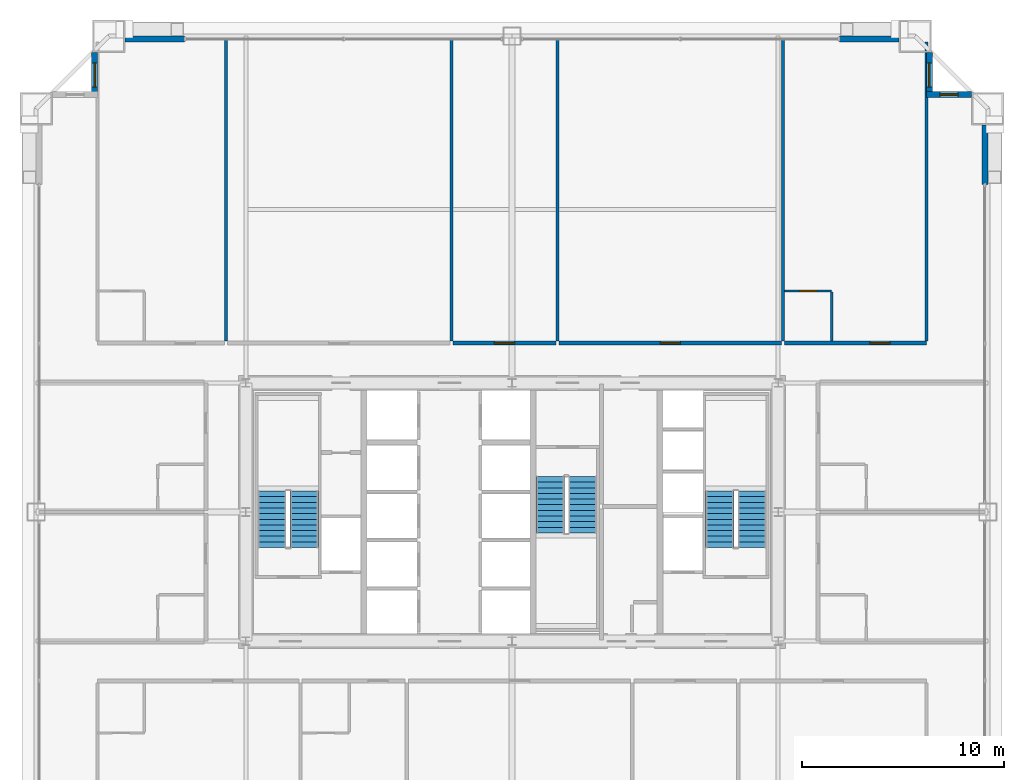
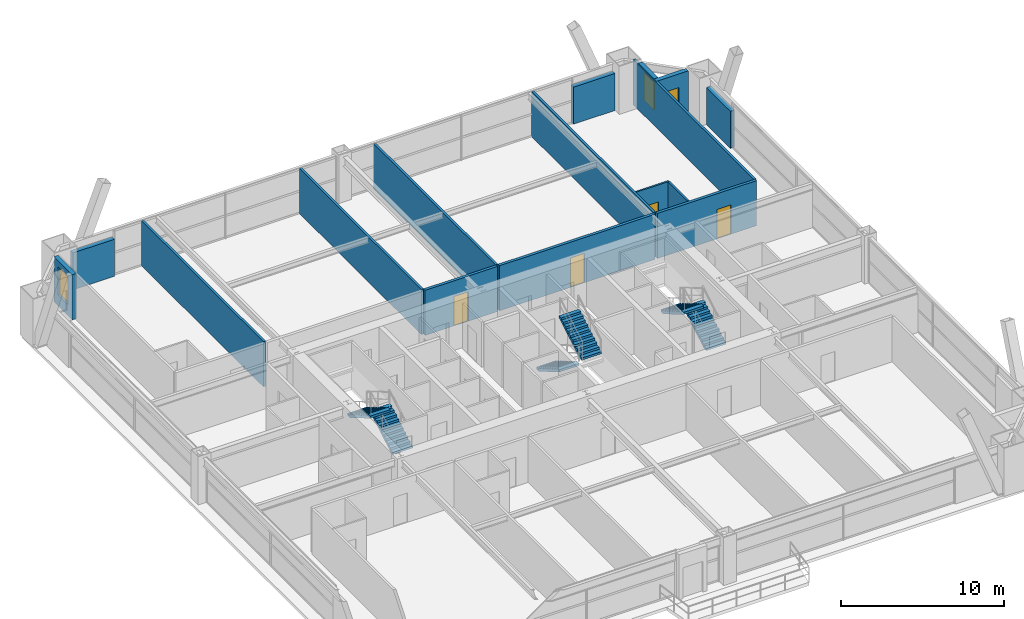
# One storey, part 42 of 43: 16 walls, 6 stair flights, 4 doors, 3 windows, 7 openings, 3 elements without a shape of their own.
"""IFC4 building model written with IfcOpenShell, lengths in metres."""

import ifcopenshell
import ifcopenshell.guid

model = None  # the IFC model being written
_history = None  # IfcOwnerHistory: only IFC2X3 demands one
_inside = {}  # id of a spatial element -> (the spatial element, [elements in it])
_under = {}  # id of a project, library or spatial element -> (it, [spatial elements below it])
_declared = {}  # id of a project -> (the project, [libraries it declares])
_typed = {}  # id of a type object -> (the type object, [elements of that type])
_made_of = {}  # id of a material, layer set ... -> (it, [elements and type objects made of it])


def new_model(schema):
    """Start an empty IFC model of exactly this schema.

    Asked for "IFC4X3", IfcOpenShell would pick the latest addendum, in which some entities
    have other attributes; the version numbers below select the first issue.
    IFC2X3 requires an IfcOwnerHistory on every rooted entity: one is made here for all.
    """
    global model, _history
    if schema == "IFC4X3":
        model = ifcopenshell.file(schema_version=(4, 3, 0, 0))
    else:
        model = ifcopenshell.file(schema=schema)
    _inside.clear()
    _under.clear()
    _declared.clear()
    _typed.clear()
    _made_of.clear()
    _history = None
    if model.schema == "IFC2X3":
        org = make("IfcOrganization", Name="unknown")
        user = make(
            "IfcPersonAndOrganization",
            ThePerson=make("IfcPerson", FamilyName="unknown"),
            TheOrganization=org,
        )
        app = make(
            "IfcApplication",
            ApplicationDeveloper=org,
            Version="unknown",
            ApplicationFullName="unknown",
            ApplicationIdentifier="unknown",
        )
        _history = make(
            "IfcOwnerHistory",
            OwningUser=user,
            OwningApplication=app,
            ChangeAction="ADDED",
            CreationDate=0,
        )
    return model


def make(cls, **values):
    """One entity of the class cls with the attributes given. An attribute that is None is left unset."""
    return model.create_entity(
        cls, **{name: value for name, value in values.items() if value is not None}
    )


def rooted(cls, **values):
    """An entity with a GlobalId (a new one), such as an element, a storey or a relation."""
    return make(cls, GlobalId=ifcopenshell.guid.new(), OwnerHistory=_history, **values)


def si_unit(unit_type, name, prefix=None):
    """IfcSIUnit, for example si_unit("LENGTHUNIT", "METRE", prefix="MILLI")."""
    return make("IfcSIUnit", UnitType=unit_type, Prefix=prefix, Name=name)


def assignment(units):
    """IfcUnitAssignment: the units of a project."""
    return None if units is None else make("IfcUnitAssignment", Units=units)


def point(xyz):
    """IfcCartesianPoint."""
    return None if xyz is None else make("IfcCartesianPoint", Coordinates=xyz)


def direction(xyz):
    """IfcDirection."""
    return None if xyz is None else make("IfcDirection", DirectionRatios=xyz)


def frame(location, z_axis=None, x_axis=None):
    """IfcAxis2Placement3D, a coordinate frame: its origin and axes. An axis left out is left unset."""
    return make(
        "IfcAxis2Placement3D",
        Location=point(location),
        Axis=direction(z_axis),
        RefDirection=direction(x_axis),
    )


def frame_2d(location, x_axis=None):
    """IfcAxis2Placement2D, a coordinate frame in the plane: its origin and x axis."""
    return make(
        "IfcAxis2Placement2D", Location=point(location), RefDirection=direction(x_axis)
    )


def origin():
    """The frame at (0, 0, 0) with its axes left unset."""
    return frame((0.0, 0.0, 0.0))


def place(relative_to, where):
    """IfcLocalPlacement: puts the frame where relative to a parent placement (None: the world)."""
    return make(
        "IfcLocalPlacement", PlacementRelTo=relative_to, RelativePlacement=where
    )


def context(
    kind, dimensions, precision=None, world=None, true_north=None, identifier=None
):
    """IfcGeometricRepresentationContext, for example the 3D "Model" context."""
    return make(
        "IfcGeometricRepresentationContext",
        ContextIdentifier=identifier,
        ContextType=kind,
        CoordinateSpaceDimension=dimensions,
        Precision=precision,
        WorldCoordinateSystem=world,
        TrueNorth=true_north,
    )


def subcontext(parent, identifier, kind, view, scale=None):
    """IfcGeometricRepresentationSubContext, for example "Body" below "Model"."""
    return make(
        "IfcGeometricRepresentationSubContext",
        ContextIdentifier=identifier,
        ContextType=kind,
        ParentContext=parent,
        TargetScale=scale,
        TargetView=view,
    )


def project(units=None, contexts=None):
    """IfcProject with its units and contexts."""
    return rooted(
        "IfcProject",
        Name="project",
        RepresentationContexts=contexts,
        UnitsInContext=assignment(units),
    )


def spatial(cls, under=None, at=None, **own):
    """A site, building, storey or space (cls), placed at a placement, below another one or the project."""
    s = rooted(cls, ObjectPlacement=at, **own)
    if under is not None:
        _under.setdefault(under.id(), (under, []))[1].append(s)
    return s


def polyline(points):
    """IfcPolyline through the points."""
    return make("IfcPolyline", Points=[point(p) for p in points])


def profile(cls, at=None, kind="AREA", **sizes):
    """A parametric profile (cls). Its sizes go by their IFC names, for example OverallWidth=200.0."""
    return make(cls, ProfileType=kind, Position=at, **sizes)


def rectangle(**sizes):
    """IfcRectangleProfileDef."""
    return profile("IfcRectangleProfileDef", **sizes)


def outline(outer, holes=None, kind="AREA"):
    """IfcArbitraryClosedProfileDef: a profile drawn as a closed curve; with holes, ...WithVoids."""
    if holes is None:
        return make("IfcArbitraryClosedProfileDef", ProfileType=kind, OuterCurve=outer)
    return make(
        "IfcArbitraryProfileDefWithVoids",
        ProfileType=kind,
        OuterCurve=outer,
        InnerCurves=holes,
    )


def extrude(swept, where, along, depth):
    """IfcExtrudedAreaSolid: the profile swept, set in the frame where, extruded along a direction by depth."""
    return make(
        "IfcExtrudedAreaSolid",
        SweptArea=swept,
        Position=where,
        ExtrudedDirection=direction(along),
        Depth=depth,
    )


def shape(context_of_items, identifier, shape_type, items):
    """IfcShapeRepresentation: the items that make up one representation, for example the "Body"."""
    return make(
        "IfcShapeRepresentation",
        ContextOfItems=context_of_items,
        RepresentationIdentifier=identifier,
        RepresentationType=shape_type,
        Items=items,
    )


def source(mapping_origin, context_of_items, identifier, shape_type, items):
    """IfcRepresentationMap: a shape defined once, which mapped items show again and again."""
    return make(
        "IfcRepresentationMap",
        MappingOrigin=mapping_origin,
        MappedRepresentation=shape(context_of_items, identifier, shape_type, items),
    )


def transform(
    local_origin,
    x_axis=None,
    y_axis=None,
    z_axis=None,
    scale=None,
    scale2=None,
    scale3=None,
    uniform=True,
):
    """IfcCartesianTransformationOperator3D, or its non-uniform kind. x_axis, y_axis, z_axis: its Axis1, 2, 3."""
    if uniform:
        return make(
            "IfcCartesianTransformationOperator3D",
            Axis1=direction(x_axis),
            Axis2=direction(y_axis),
            LocalOrigin=point(local_origin),
            Scale=scale,
            Axis3=direction(z_axis),
        )
    return make(
        "IfcCartesianTransformationOperator3DnonUniform",
        Axis1=direction(x_axis),
        Axis2=direction(y_axis),
        LocalOrigin=point(local_origin),
        Scale=scale,
        Axis3=direction(z_axis),
        Scale2=scale2,
        Scale3=scale3,
    )


def mapped(mapping_source, mapping_target):
    """IfcMappedItem: shows the shape of a source again, moved by a transform."""
    return make(
        "IfcMappedItem", MappingSource=mapping_source, MappingTarget=mapping_target
    )


def material(Name=None, Category=None):
    """IfcMaterial."""
    return make("IfcMaterial", Name=Name, Category=Category)


def layer(
    of_material, thickness, ventilated=None, Name=None, Category=None, Priority=None
):
    """IfcMaterialLayer: one layer of a wall or slab, of a material (None: an air gap)."""
    return make(
        "IfcMaterialLayer",
        Material=of_material,
        LayerThickness=thickness,
        IsVentilated=ventilated,
        Name=Name,
        Category=Category,
        Priority=Priority,
    )


def layer_set(layers, Name=None):
    """IfcMaterialLayerSet."""
    return make("IfcMaterialLayerSet", MaterialLayers=layers, LayerSetName=Name)


def made_of(thing, what):
    """Note that an element or type object is made of a material, layer set ...; save() writes the relation."""
    if what is not None:
        _made_of.setdefault(what.id(), (what, []))[1].append(thing)
    return thing


def type_object(cls, material=None, **own):
    """A type object (cls), such as IfcWallType, which elements share."""
    return made_of(rooted(cls, **own), material)


def element(
    cls,
    number,
    at=None,
    inside=None,
    cuts=None,
    type_object=None,
    material=None,
    context=None,
    identifier="Body",
    shape_type=None,
    held_by="IfcProductDefinitionShape",
    body=None,
    shapes=None,
    **own,
):
    """One element of the class cls, such as IfcWall. Its Tag is "e" and its number.

    at: its placement. inside: the storey or other place that contains it. cuts: it is an
    opening in that element (IfcRelVoidsElement). A single representation is given by context,
    identifier, shape_type and body (its items); several are given by shapes. held_by: the class
    of the entity that holds the representations. save() writes the other relations.
    """
    e = rooted(cls, Tag="e%d" % number, ObjectPlacement=at, **own)
    if body is not None:
        shapes = [shape(context, identifier, shape_type, body)]
    if shapes is not None:
        e.Representation = make(held_by, Representations=shapes)
    if inside is not None:
        _inside.setdefault(inside.id(), (inside, []))[1].append(e)
    if cuts is not None:
        rooted(
            "IfcRelVoidsElement", RelatingBuildingElement=cuts, RelatedOpeningElement=e
        )
    if type_object is not None:
        _typed.setdefault(type_object.id(), (type_object, []))[1].append(e)
    return made_of(e, material)


def fill(opening, filler):
    """IfcRelFillsElement: the door or window that sits in an opening."""
    return rooted(
        "IfcRelFillsElement",
        RelatingOpeningElement=opening,
        RelatedBuildingElement=filler,
    )


def aggregate(whole, parts):
    """IfcRelAggregates: a whole, such as a stair, and the parts it consists of."""
    return rooted("IfcRelAggregates", RelatingObject=whole, RelatedObjects=parts)


def save(model, path):
    """Write the relations noted so far, then the file.

    IfcRelAggregates (storeys below a building ...), IfcRelContainedInSpatialStructure (elements
    in a storey), IfcRelDefinesByType, IfcRelAssociatesMaterial and IfcRelDeclares: one each for
    every whole, place, type object, material and project.
    """
    for whole, parts in _under.values():
        aggregate(whole, parts)
    for where, things in _inside.values():
        rooted(
            "IfcRelContainedInSpatialStructure",
            RelatedElements=things,
            RelatingStructure=where,
        )
    for kind, things in _typed.values():
        rooted("IfcRelDefinesByType", RelatedObjects=things, RelatingType=kind)
    for what, things in _made_of.values():
        rooted("IfcRelAssociatesMaterial", RelatedObjects=things, RelatingMaterial=what)
    for by, libraries in _declared.values():
        rooted("IfcRelDeclares", RelatingContext=by, RelatedDefinitions=libraries)
    model.write(path)


model = new_model("IFC4")

# Units and contexts
model_context = context("Model", 3, precision=1e-05, world=origin(), true_north=direction((0.0, 1.0)))
body_context = subcontext(model_context, "Body", "Model", "MODEL_VIEW")
ifc_project = project(units=[si_unit("LENGTHUNIT", "METRE"), si_unit("AREAUNIT", "SQUARE_METRE"), si_unit("VOLUMEUNIT", "CUBIC_METRE"), si_unit("PLANEANGLEUNIT", "RADIAN"), si_unit("MASSUNIT", "GRAM", prefix="KILO"), si_unit("THERMODYNAMICTEMPERATUREUNIT", "KELVIN"), si_unit("POWERUNIT", "WATT")], contexts=[model_context])

# Site, building, storey
site_placement = place(None, origin())
site = spatial("IfcSite", under=ifc_project, at=site_placement, CompositionType="ELEMENT")
building_placement = place(site_placement, origin())
building = spatial("IfcBuilding", under=site, at=building_placement, Name="Yuzanri Waterfront Tower", CompositionType="ELEMENT")
storey_placement = place(building_placement, frame((0.0, 0.0, 138.0)))
storey = spatial("IfcBuildingStorey", under=building, at=storey_placement, Name="L36", CompositionType="ELEMENT", Elevation=138.0)

# Wall, opening, door
ifc_material_1 = material(Name="Moisture-Resistant Gypsum Stud Wall", Category="gypsum")
ifc_layer_1 = layer(ifc_material_1, 0.1201171875)
ifc_layer_set_1 = layer_set([ifc_layer_1], Name="Moisture-Resistant Gypsum Stud Wall")
wall_type_1 = type_object("IfcWallType", Name="Bathroom and Kitchen Wet Partition 120", PredefinedType="PARTITIONING", material=ifc_layer_set_1)
wall_1_placement = place(storey_placement, frame((50.52587890625, 36.760009765625, 0.0), z_axis=(0.0, 0.0, 1.0), x_axis=(1.0, 0.0, 0.0)))
wall_1 = element("IfcWall", 1, at=wall_1_placement, inside=storey, type_object=wall_type_1, Name="L36 Partition UW-L36-N5-BN", PredefinedType="PARTITIONING", context=body_context, shape_type="SweptSolid", body=[
    extrude(rectangle(XDim=2.330078125, YDim=0.1201171875, at=frame_2d((1.1650390625, 0.0))), origin(), (0.0, 0.0, 1.0), 3.3798828125),
])
opening_1_placement = place(wall_1_placement, frame((0.739990234375, 0.0, 0.0)))
opening_1 = element("IfcOpeningElement", 2, at=opening_1_placement, cuts=wall_1, Name="Opening ID-0850", PredefinedType="OPENING", context=body_context, shape_type="SweptSolid", body=[
    extrude(rectangle(XDim=0.85009765625, YDim=2.10009765625, at=frame_2d((0.425048828125, 1.050048828125))), frame((0.0, 0.074951171875, 0.0), z_axis=(0.0, -1.0, 0.0), x_axis=(1.0, 0.0, 0.0)), (0.0, 0.0, 1.0), 0.14990234375),
])
ifc_material_2 = material(Name="Moisture-Resistant Lacquered Timber", Category="wood")
door_type_1 = type_object("IfcDoorType", Name="En-Suite Bathroom and Kitchen Swing Door 850x2100", OperationType="NOTDEFINED", PredefinedType="DOOR", material=ifc_material_2)
shared_shape_1 = source(origin(), body_context, "Body", "SweptSolid", [
    extrude(rectangle(XDim=0.85009765625, YDim=2.10009765625, at=frame_2d((0.425048828125, 1.050048828125))), frame((0.0, 0.02490234375, 0.0), z_axis=(0.0, -1.0, 0.0), x_axis=(1.0, 0.0, 0.0)), (0.0, 0.0, 1.0), 0.050048828125),
])
door_1_placement = place(opening_1_placement, origin())
door_1 = element("IfcDoor", 3, at=door_1_placement, inside=storey, type_object=door_type_1, Name="L36 Guest En-Suite Door", OperationType="SINGLE_SWING_LEFT", OverallHeight=2.10009765625, OverallWidth=0.85009765625, PredefinedType="DOOR", context=body_context, shape_type="MappedRepresentation", body=[
    mapped(shared_shape_1, transform((0.0, 0.0, 0.0), scale=1.0)),
])
fill(opening_1, door_1)

# Wall, opening, window
ifc_material_3 = material(Name="Honed Chongqing Dark Basalt Stone", Category="masonry")
ifc_layer_2 = layer(ifc_material_3, 0.300048828125)
ifc_layer_set_2 = layer_set([ifc_layer_2], Name="Honed Chongqing Dark Basalt Stone")
wall_type_2 = type_object("IfcWallType", Name="Bronze Rainscreen Insulated Spandrel Portal Wall 300", PredefinedType="SOLIDWALL", material=ifc_layer_set_2)
wall_2_placement = place(storey_placement, frame((16.300048828125, 48.60009765625, 0.0), z_axis=(0.0, 0.0, 1.0), x_axis=(0.0, -1.0, 0.0)))
wall_2 = element("IfcWall", 4, at=wall_2_placement, inside=storey, type_object=wall_type_2, Name="L36 Notched Corner Masonry Wall NW-Y", PredefinedType="SOLIDWALL", context=body_context, shape_type="SweptSolid", body=[
    extrude(rectangle(XDim=2.25, YDim=0.300048828125, at=frame_2d((1.125, 0.0))), origin(), (0.0, 0.0, 1.0), 3.3798828125),
])
opening_2_placement = place(wall_2_placement, frame((0.52490234375, 0.0, 0.85009765625)))
opening_2 = element("IfcOpeningElement", 5, at=opening_2_placement, cuts=wall_2, Name="Opening WN-02", PredefinedType="OPENING", context=body_context, shape_type="SweptSolid", body=[
    extrude(rectangle(XDim=1.199951171875, YDim=2.10009765625, at=frame_2d((0.60009765625, 1.050048828125))), frame((0.0, 0.1650390625, 0.0), z_axis=(0.0, -1.0, 0.0), x_axis=(1.0, 0.0, 0.0)), (0.0, 0.0, 1.0), 0.329833984375),
])
ifc_material_4 = material(Name="Double-Silver Low-E Insulated Glass", Category="glass")
window_type_1 = type_object("IfcWindowType", Name="Anodized Bronze Notched Corner Deep-Set Slot Window 1200x2100", PartitioningType="SINGLE_PANEL", PredefinedType="WINDOW", material=ifc_material_4)
shared_shape_2 = source(origin(), body_context, "Body", "SweptSolid", [
    extrude(rectangle(XDim=1.199951171875, YDim=2.10009765625, at=frame_2d((0.60009765625, 1.050048828125))), frame((0.0, 0.030029296875, 0.0), z_axis=(0.0, -1.0, 0.0), x_axis=(1.0, 0.0, 0.0)), (0.0, 0.0, 1.0), 0.06005859375),
])
window_1_placement = place(opening_2_placement, origin())
window_1 = element("IfcWindow", 6, at=window_1_placement, inside=storey, type_object=window_type_1, Name="L36 Notched Corner Window NW-Y", OverallHeight=2.10009765625, OverallWidth=1.199951171875, PartitioningType="SINGLE_PANEL", PredefinedType="WINDOW", context=body_context, shape_type="MappedRepresentation", body=[
    mapped(shared_shape_2, transform((0.0, 0.0, 0.0), scale=1.0)),
])
fill(opening_2, window_1)

wall_3_placement = place(storey_placement, frame((59.800048828125, 46.5, 0.0), z_axis=(0.0, 0.0, 1.0), x_axis=(-1.0, 0.0, 0.0)))
wall_3 = element("IfcWall", 7, at=wall_3_placement, inside=storey, type_object=wall_type_2, Name="L36 Notched Corner Masonry Wall NE-X", PredefinedType="SOLIDWALL", context=body_context, shape_type="SweptSolid", body=[
    extrude(rectangle(XDim=2.25, YDim=0.300048828125, at=frame_2d((1.125, 0.0))), origin(), (0.0, 0.0, 1.0), 3.3798828125),
])
opening_3_placement = place(wall_3_placement, frame((0.675048828125, 0.0, 0.85009765625)))
opening_3 = element("IfcOpeningElement", 8, at=opening_3_placement, cuts=wall_3, Name="Opening WN-05", PredefinedType="OPENING", context=body_context, shape_type="SweptSolid", body=[
    extrude(rectangle(XDim=0.89990234375, YDim=1.5, at=frame_2d((0.449951171875, 0.75))), frame((0.0, 0.1650390625, 0.0), z_axis=(0.0, -1.0, 0.0), x_axis=(1.0, 0.0, 0.0)), (0.0, 0.0, 1.0), 0.329833984375),
])
ifc_material_5 = material(Name="Double-Silver Low-E Insulated Glass", Category="glass")
window_type_2 = type_object("IfcWindowType", Name="Anodized Bronze Service and Stairwell Smoke-Vent Window 900x1500", PartitioningType="SINGLE_PANEL", PredefinedType="WINDOW", material=ifc_material_5)
shared_shape_3 = source(origin(), body_context, "Body", "SweptSolid", [
    extrude(rectangle(XDim=0.89990234375, YDim=1.5, at=frame_2d((0.449951171875, 0.75))), frame((0.0, 0.030029296875, 0.0), z_axis=(0.0, -1.0, 0.0), x_axis=(1.0, 0.0, 0.0)), (0.0, 0.0, 1.0), 0.06005859375),
])
window_2_placement = place(opening_3_placement, origin())
window_2 = element("IfcWindow", 9, at=window_2_placement, inside=storey, type_object=window_type_2, Name="L36 Notched Corner Window NE-X", OverallHeight=1.5, OverallWidth=0.89990234375, PartitioningType="SINGLE_PANEL", PredefinedType="WINDOW", context=body_context, shape_type="MappedRepresentation", body=[
    mapped(shared_shape_3, transform((0.0, 0.0, 0.0), scale=1.0)),
])
fill(opening_3, window_2)

wall_4_placement = place(storey_placement, frame((57.699951171875, 46.35009765625, 0.0), z_axis=(0.0, 0.0, 1.0), x_axis=(0.0, 1.0, 0.0)))
wall_4 = element("IfcWall", 10, at=wall_4_placement, inside=storey, type_object=wall_type_2, Name="L36 Notched Corner Masonry Wall NE-Y", PredefinedType="SOLIDWALL", context=body_context, shape_type="SweptSolid", body=[
    extrude(rectangle(XDim=2.25, YDim=0.300048828125, at=frame_2d((1.125, 0.0))), origin(), (0.0, 0.0, 1.0), 3.3798828125),
])
opening_4_placement = place(wall_4_placement, frame((0.52490234375, 0.0, 0.85009765625)))
opening_4 = element("IfcOpeningElement", 11, at=opening_4_placement, cuts=wall_4, Name="Opening WN-02", PredefinedType="OPENING", context=body_context, shape_type="SweptSolid", body=[
    extrude(rectangle(XDim=1.199951171875, YDim=2.10009765625, at=frame_2d((0.60009765625, 1.050048828125))), frame((0.0, 0.1650390625, 0.0), z_axis=(0.0, -1.0, 0.0), x_axis=(1.0, 0.0, 0.0)), (0.0, 0.0, 1.0), 0.329833984375),
])
window_3_placement = place(opening_4_placement, origin())
window_3 = element("IfcWindow", 12, at=window_3_placement, inside=storey, type_object=window_type_1, Name="L36 Notched Corner Window NE-Y", OverallHeight=2.10009765625, OverallWidth=1.199951171875, PartitioningType="SINGLE_PANEL", PredefinedType="WINDOW", context=body_context, shape_type="MappedRepresentation", body=[
    mapped(shared_shape_2, transform((0.0, 0.0, 0.0), scale=1.0)),
])
fill(opening_4, window_3)

# Wall, opening, door
ifc_material_6 = material(Name="Autoclaved Aerated Concrete Blockwork", Category="masonry")
ifc_layer_3 = layer(ifc_material_6, 0.199951171875)
ifc_layer_set_3 = layer_set([ifc_layer_3], Name="Autoclaved Aerated Concrete Blockwork")
wall_type_3 = type_object("IfcWallType", Name="Corridor and Unit Party Fire Wall 200", PredefinedType="PARTITIONING", material=ifc_layer_set_3)
wall_5_placement = place(storey_placement, frame((34.077880859375, 34.179931640625, 0.0), z_axis=(0.0, 0.0, 1.0), x_axis=(1.0, 0.0, 0.0)))
wall_5 = element("IfcWall", 13, at=wall_5_placement, inside=storey, type_object=wall_type_3, Name="L36 Partition UW-L36-N3-CS", PredefinedType="PARTITIONING", context=body_context, shape_type="SweptSolid", body=[
    extrude(rectangle(XDim=5.10400390625, YDim=0.199951171875, at=frame_2d((2.552001953125, 0.0))), origin(), (0.0, 0.0, 1.0), 3.3798828125),
])
opening_5_placement = place(wall_5_placement, frame((2.052001953125, 0.0, 0.0)))
opening_5 = element("IfcOpeningElement", 14, at=opening_5_placement, cuts=wall_5, Name="Opening FD-1000", PredefinedType="OPENING", context=body_context, shape_type="SweptSolid", body=[
    extrude(rectangle(XDim=1.0, YDim=2.199951171875, at=frame_2d((0.5, 1.10009765625))), frame((0.0, 0.11474609375, 0.0), z_axis=(0.0, -1.0, 0.0), x_axis=(1.0, 0.0, 0.0)), (0.0, 0.0, 1.0), 0.229736328125),
])
ifc_material_7 = material(Name="Engineered Oak Fire-Rated Timber", Category="wood")
door_type_2 = type_object("IfcDoorType", Name="Guestroom and Apartment Entrance Fire Door 1000x2200", OperationType="NOTDEFINED", PredefinedType="DOOR", material=ifc_material_7)
shared_shape_4 = source(origin(), body_context, "Body", "SweptSolid", [
    extrude(rectangle(XDim=1.0, YDim=2.199951171875, at=frame_2d((0.5, 1.10009765625))), frame((0.0, 0.02490234375, 0.0), z_axis=(0.0, -1.0, 0.0), x_axis=(1.0, 0.0, 0.0)), (0.0, 0.0, 1.0), 0.050048828125),
])
door_2_placement = place(opening_5_placement, origin())
door_2 = element("IfcDoor", 15, at=door_2_placement, inside=storey, type_object=door_type_2, Name="L36 Meeting Room 2 Entrance Door", OperationType="SINGLE_SWING_RIGHT", OverallHeight=2.199951171875, OverallWidth=1.0, PredefinedType="DOOR", context=body_context, shape_type="MappedRepresentation", body=[
    mapped(shared_shape_4, transform((0.0, 0.0, 0.0), scale=1.0)),
])
fill(opening_5, door_2)

wall_6_placement = place(storey_placement, frame((39.342041015625, 34.179931640625, 0.0), z_axis=(0.0, 0.0, 1.0), x_axis=(1.0, 0.0, 0.0)))
wall_6 = element("IfcWall", 16, at=wall_6_placement, inside=storey, type_object=wall_type_3, Name="L36 Partition UW-L36-N4-CS", PredefinedType="PARTITIONING", context=body_context, shape_type="SweptSolid", body=[
    extrude(rectangle(XDim=11.02392578125, YDim=0.199951171875, at=frame_2d((5.511962890625, 0.0))), origin(), (0.0, 0.0, 1.0), 3.3798828125),
])
opening_6_placement = place(wall_6_placement, frame((5.011962890625, 0.0, 0.0)))
opening_6 = element("IfcOpeningElement", 17, at=opening_6_placement, cuts=wall_6, Name="Opening FD-1000", PredefinedType="OPENING", context=body_context, shape_type="SweptSolid", body=[
    extrude(rectangle(XDim=1.0, YDim=2.199951171875, at=frame_2d((0.5, 1.10009765625))), frame((0.0, 0.11474609375, 0.0), z_axis=(0.0, -1.0, 0.0), x_axis=(1.0, 0.0, 0.0)), (0.0, 0.0, 1.0), 0.229736328125),
])
door_3_placement = place(opening_6_placement, origin())
door_3 = element("IfcDoor", 18, at=door_3_placement, inside=storey, type_object=door_type_2, Name="L36 Meeting Room 3 Entrance Door", OperationType="SINGLE_SWING_LEFT", OverallHeight=2.199951171875, OverallWidth=1.0, PredefinedType="DOOR", context=body_context, shape_type="MappedRepresentation", body=[
    mapped(shared_shape_4, transform((0.0, 0.0, 0.0), scale=1.0)),
])
fill(opening_6, door_3)

wall_7_placement = place(storey_placement, frame((50.52587890625, 34.179931640625, 0.0), z_axis=(0.0, 0.0, 1.0), x_axis=(1.0, 0.0, 0.0)))
wall_7 = element("IfcWall", 19, at=wall_7_placement, inside=storey, type_object=wall_type_3, Name="L36 Partition UW-L36-N5-CS", PredefinedType="PARTITIONING", context=body_context, shape_type="SweptSolid", body=[
    extrude(rectangle(XDim=7.0341796875, YDim=0.199951171875, at=frame_2d((3.51708984375, 0.0))), origin(), (0.0, 0.0, 1.0), 3.3798828125),
])
opening_7_placement = place(wall_7_placement, frame((4.221923828125, 0.0, 0.0)))
opening_7 = element("IfcOpeningElement", 20, at=opening_7_placement, cuts=wall_7, Name="Opening FD-1000", PredefinedType="OPENING", context=body_context, shape_type="SweptSolid", body=[
    extrude(rectangle(XDim=1.0, YDim=2.199951171875, at=frame_2d((0.5, 1.10009765625))), frame((0.0, 0.11474609375, 0.0), z_axis=(0.0, -1.0, 0.0), x_axis=(1.0, 0.0, 0.0)), (0.0, 0.0, 1.0), 0.229736328125),
])
door_4_placement = place(opening_7_placement, origin())
door_4 = element("IfcDoor", 21, at=door_4_placement, inside=storey, type_object=door_type_2, Name="L36 Cityview Suite Entrance Door", OperationType="SINGLE_SWING_RIGHT", OverallHeight=2.199951171875, OverallWidth=1.0, PredefinedType="DOOR", context=body_context, shape_type="MappedRepresentation", body=[
    mapped(shared_shape_4, transform((0.0, 0.0, 0.0), scale=1.0)),
])
fill(opening_7, door_4)

# Walls
shared_shape_5 = source(origin(), body_context, "Body", "SweptSolid", [
    extrude(rectangle(XDim=2.949951171875, YDim=0.300048828125, at=frame_2d((1.47509765625, 0.0))), origin(), (0.0, 0.0, 1.0), 2.77490234375),
])
for number, where, z_axis, x_axis, name in (
    (22, (17.800048828125, 49.25, 0.0), (0.0, 0.0, 1.0), (1.0, 0.0, 0.0), "L36 N Left Braced Masonry Shoulder"),
    (23, (53.25, 49.25, 0.0), (0.0, 0.0, 1.0), (1.0, 0.0, 0.0), "L36 N Right Braced Masonry Shoulder"),
    (24, (60.449951171875, 42.050048828125, 0.0), (0.0, 0.0, 1.0), (0.0, 1.0, 0.0), "L36 E Right Braced Masonry Shoulder"),
):
    element("IfcWall", number, at=place(storey_placement, frame(where, z_axis=z_axis, x_axis=x_axis)), inside=storey, type_object=wall_type_2, Name=name, PredefinedType="SOLIDWALL", context=body_context, shape_type="MappedRepresentation", body=[
        mapped(shared_shape_5, transform((0.0, 0.0, 0.0), scale=1.0)),
    ])
shared_shape_6 = source(origin(), body_context, "Body", "SweptSolid", [
    extrude(rectangle(XDim=2.419921875, YDim=0.1201171875, at=frame_2d((1.2099609375, 0.0))), origin(), (0.0, 0.0, 1.0), 3.3798828125),
])
wall_8_placement = place(storey_placement, frame((52.85595703125, 34.280029296875, 0.0), z_axis=(0.0, 0.0, 1.0), x_axis=(0.0, 1.0, 0.0)))
element("IfcWall", 25, at=wall_8_placement, inside=storey, type_object=wall_type_1, Name="L36-N5 En-Suite Side Wall", PredefinedType="PARTITIONING", context=body_context, shape_type="MappedRepresentation", body=[
    mapped(shared_shape_6, transform((0.0, 0.0, 0.0), scale=1.0)),
])
ifc_material_8 = material(Name="Gypsum Fireboard Acoustic Stud Wall", Category="gypsum")
ifc_layer_4 = layer(ifc_material_8, 0.159912109375)
ifc_layer_set_4 = layer_set([ifc_layer_4], Name="Gypsum Fireboard Acoustic Stud Wall")
wall_type_4 = type_object("IfcWallType", Name="Acoustic Suite Demising Partition 160", PredefinedType="PARTITIONING", material=ifc_layer_set_4)
shared_shape_7 = source(origin(), body_context, "Body", "SweptSolid", [
    extrude(rectangle(XDim=14.969970703125, YDim=0.159912109375, at=frame_2d((7.48486328125, 0.0))), origin(), (0.0, 0.0, 1.0), 3.3798828125),
])
for number, where, z_axis, x_axis, name in (
    (26, (22.81396484375, 34.280029296875, 0.0), (0.0, 0.0, 1.0), (0.0, 1.0, 0.0), "L36-N1 Party Wall"),
    (27, (33.998046875, 34.280029296875, 0.0), (0.0, 0.0, 1.0), (0.0, 1.0, 0.0), "L36-N2 Party Wall"),
    (28, (39.261962890625, 34.280029296875, 0.0), (0.0, 0.0, 1.0), (0.0, 1.0, 0.0), "L36-N3 Party Wall"),
    (29, (50.446044921875, 34.280029296875, 0.0), (0.0, 0.0, 1.0), (0.0, 1.0, 0.0), "L36-N4 Party Wall"),
):
    element("IfcWall", number, at=place(storey_placement, frame(where, z_axis=z_axis, x_axis=x_axis)), inside=storey, type_object=wall_type_4, Name=name, PredefinedType="PARTITIONING", context=body_context, shape_type="MappedRepresentation", body=[
        mapped(shared_shape_7, transform((0.0, 0.0, 0.0), scale=1.0)),
    ])
shared_shape_8 = source(origin(), body_context, "Body", "SweptSolid", [
    extrude(rectangle(XDim=14.820068359375, YDim=0.159912109375, at=frame_2d((7.41015625, 0.0))), origin(), (0.0, 0.0, 1.0), 3.3798828125),
])
wall_9_placement = place(storey_placement, frame((57.550048828125, 34.280029296875, 0.0), z_axis=(0.0, 0.0, 1.0), x_axis=(0.0, 1.0, 0.0)))
element("IfcWall", 30, at=wall_9_placement, inside=storey, type_object=wall_type_4, Name="L36 North Band East End Wall", PredefinedType="PARTITIONING", context=body_context, shape_type="MappedRepresentation", body=[
    mapped(shared_shape_8, transform((0.0, 0.0, 0.0), scale=1.0)),
])

# Stair, stair flights
ifc_material_9 = material(Name="Concrete C40", Category="concrete")
stair_type = type_object("IfcStairType", Name="Concrete C40 Core Dogleg Exit Stair", PredefinedType="HALF_TURN_STAIR", material=ifc_material_9)
stair_1_placement = place(storey_placement, origin())
stair_1 = element("IfcStair", 31, at=stair_1_placement, inside=storey, type_object=stair_type, Name="L36 Smoke-Proof Core Stair ST-01", PredefinedType="HALF_TURN_STAIR")
ifc_material_10 = material(Name="Concrete C40", Category="concrete")
stair_flight_type = type_object("IfcStairFlightType", Name="Concrete C40 Precast Stair Flight 1380", PredefinedType="STRAIGHT", material=ifc_material_10)
shared_shape_9 = source(origin(), body_context, "Body", "SweptSolid", [
    extrude(outline(polyline([(0.0, 0.0), (0.0, 0.16357421875), (0.280029296875, 0.16357421875), (0.280029296875, 0.327392578125), (0.56005859375, 0.327392578125), (0.56005859375, 0.490966796875), (0.840087890625, 0.490966796875), (0.840087890625, 0.654541015625), (1.1201171875, 0.654541015625), (1.1201171875, 0.818115234375), (1.39990234375, 0.818115234375), (1.39990234375, 0.98193359375), (1.679931640625, 0.98193359375), (1.679931640625, 1.1455078125), (1.9599609375, 1.1455078125), (1.9599609375, 1.30908203125), (2.239990234375, 1.30908203125), (2.239990234375, 1.47265625), (2.52001953125, 1.47265625), (2.52001953125, 1.636474609375), (2.800048828125, 1.636474609375), (2.800048828125, 1.800048828125), (2.800048828125, 1.462646484375), (0.297119140625, 0.0), (0.0, 0.0)])), frame((0.0, 0.699951171875, 0.0), z_axis=(0.0, -1.0, 0.0), x_axis=(1.0, 0.0, 0.0)), (0.0, 0.0, 1.0), 1.39990234375),
])
stair_flight_1_placement = place(storey_placement, frame((26.699951171875, 24.0400390625, 0.0), z_axis=(0.0, 0.0, 1.0), x_axis=(0.0, 1.0, 0.0)))
stair_flight_1 = element("IfcStairFlight", 32, at=stair_flight_1_placement, type_object=stair_flight_type, Name="ST-01 flight 1", NumberOfRisers=11, NumberOfTreads=10, PredefinedType="STRAIGHT", RiserHeight=0.163636364, TreadLength=0.28, context=body_context, shape_type="MappedRepresentation", body=[
    mapped(shared_shape_9, transform((0.0, 0.0, 0.0), scale=1.0)),
])
stair_flight_2_placement = place(storey_placement, frame((25.10009765625, 26.840087890625, 1.800048828125), z_axis=(0.0, 0.0, 1.0), x_axis=(0.0, -1.0, 0.0)))
stair_flight_2 = element("IfcStairFlight", 33, at=stair_flight_2_placement, type_object=stair_flight_type, Name="ST-01 flight 2", NumberOfRisers=11, NumberOfTreads=10, PredefinedType="STRAIGHT", RiserHeight=0.163636364, TreadLength=0.28, context=body_context, shape_type="MappedRepresentation", body=[
    mapped(shared_shape_9, transform((0.0, 0.0, 0.0), scale=1.0)),
])
aggregate(stair_1, [stair_flight_1, stair_flight_2])

stair_2_placement = place(storey_placement, origin())
stair_2 = element("IfcStair", 34, at=stair_2_placement, inside=storey, type_object=stair_type, Name="L36 Smoke-Proof Core Stair ST-02", PredefinedType="HALF_TURN_STAIR")
stair_flight_3_placement = place(storey_placement, frame((48.89990234375, 24.0400390625, 0.0), z_axis=(0.0, 0.0, 1.0), x_axis=(0.0, 1.0, 0.0)))
stair_flight_3 = element("IfcStairFlight", 35, at=stair_flight_3_placement, type_object=stair_flight_type, Name="ST-02 flight 1", NumberOfRisers=11, NumberOfTreads=10, PredefinedType="STRAIGHT", RiserHeight=0.163636364, TreadLength=0.28, context=body_context, shape_type="MappedRepresentation", body=[
    mapped(shared_shape_9, transform((0.0, 0.0, 0.0), scale=1.0)),
])
stair_flight_4_placement = place(storey_placement, frame((47.300048828125, 26.840087890625, 1.800048828125), z_axis=(0.0, 0.0, 1.0), x_axis=(0.0, -1.0, 0.0)))
stair_flight_4 = element("IfcStairFlight", 36, at=stair_flight_4_placement, type_object=stair_flight_type, Name="ST-02 flight 2", NumberOfRisers=11, NumberOfTreads=10, PredefinedType="STRAIGHT", RiserHeight=0.163636364, TreadLength=0.28, context=body_context, shape_type="MappedRepresentation", body=[
    mapped(shared_shape_9, transform((0.0, 0.0, 0.0), scale=1.0)),
])
aggregate(stair_2, [stair_flight_3, stair_flight_4])

stair_3_placement = place(storey_placement, origin())
stair_3 = element("IfcStair", 37, at=stair_3_placement, inside=storey, type_object=stair_type, Name="L36 Smoke-Proof Core Stair ST-03", PredefinedType="HALF_TURN_STAIR")
stair_flight_5_placement = place(storey_placement, frame((38.89990234375, 27.56005859375, 0.0), z_axis=(0.0, 0.0, 1.0), x_axis=(0.0, -1.0, 0.0)))
stair_flight_5 = element("IfcStairFlight", 38, at=stair_flight_5_placement, type_object=stair_flight_type, Name="ST-03 flight 1", NumberOfRisers=11, NumberOfTreads=10, PredefinedType="STRAIGHT", RiserHeight=0.163636364, TreadLength=0.28, context=body_context, shape_type="MappedRepresentation", body=[
    mapped(shared_shape_9, transform((0.0, 0.0, 0.0), scale=1.0)),
])
stair_flight_6_placement = place(storey_placement, frame((40.5, 24.760009765625, 1.800048828125), z_axis=(0.0, 0.0, 1.0), x_axis=(0.0, 1.0, 0.0)))
stair_flight_6 = element("IfcStairFlight", 39, at=stair_flight_6_placement, type_object=stair_flight_type, Name="ST-03 flight 2", NumberOfRisers=11, NumberOfTreads=10, PredefinedType="STRAIGHT", RiserHeight=0.163636364, TreadLength=0.28, context=body_context, shape_type="MappedRepresentation", body=[
    mapped(shared_shape_9, transform((0.0, 0.0, 0.0), scale=1.0)),
])
aggregate(stair_3, [stair_flight_5, stair_flight_6])

save(model, "model.ifc")
